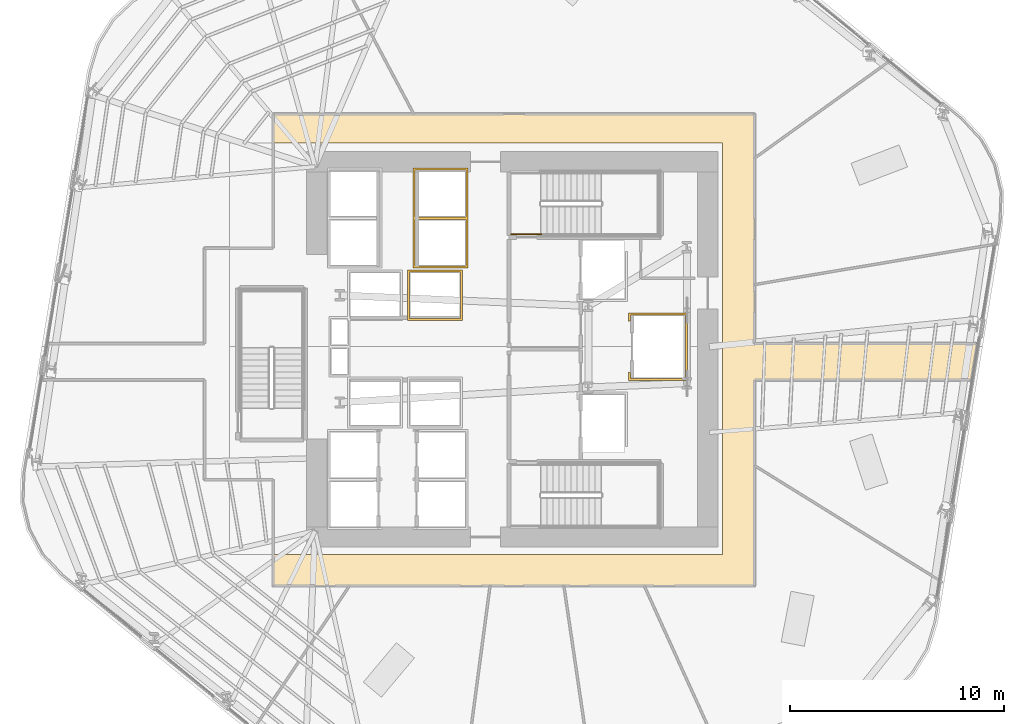
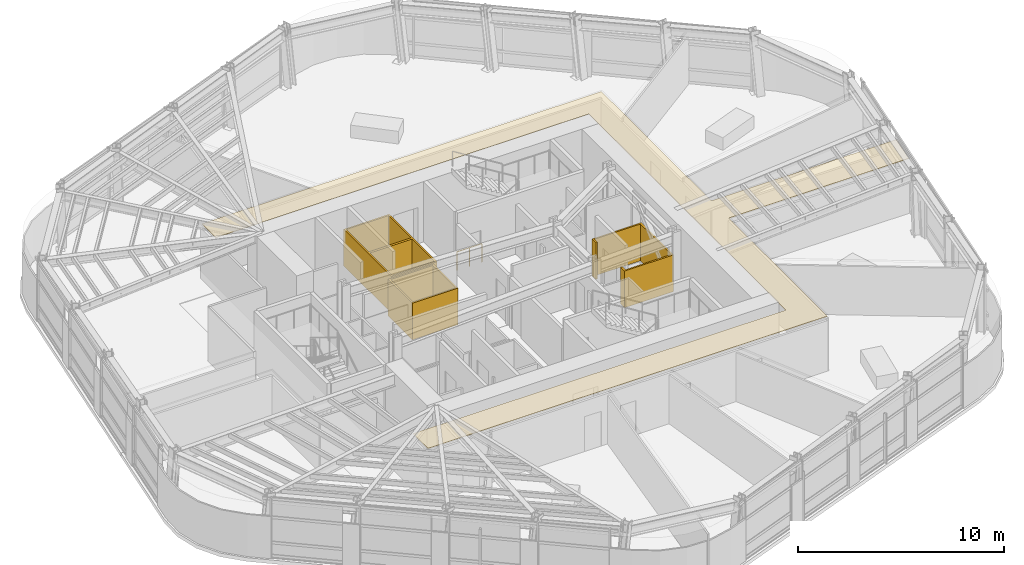
# One storey, part 15 of 18: 4 coverings, 1 railing.
"""IFC4 building model written with IfcOpenShell, lengths in metres."""

from ifc_helpers import new_model, si_unit, direction, frame, origin, origin_2d, place, context, subcontext, project, spatial, polyline, circle, outline, extrude, material, layer, layer_set, type_object, element, save


model = new_model("IFC4")

# Units and contexts
model_context = context("Model", 3, precision=1e-05, world=origin(), true_north=direction((0.0, 1.0)))
body_context = subcontext(model_context, "Body", "Model", "MODEL_VIEW")
ifc_project = project(units=[si_unit("LENGTHUNIT", "METRE"), si_unit("AREAUNIT", "SQUARE_METRE"), si_unit("VOLUMEUNIT", "CUBIC_METRE"), si_unit("PLANEANGLEUNIT", "RADIAN"), si_unit("MASSUNIT", "GRAM", prefix="KILO")], contexts=[model_context])

# Site, building, storey
site_placement = place(None, origin())
site = spatial("IfcSite", under=ifc_project, at=site_placement, CompositionType="ELEMENT")
building_placement = place(site_placement, origin())
building = spatial("IfcBuilding", under=site, at=building_placement, Name="Valkerne Bourse Tower", CompositionType="ELEMENT")
storey_placement = place(building_placement, frame((0.0, 0.0, 112.39990234375)))
storey = spatial("IfcBuildingStorey", under=building, at=storey_placement, Name="L28", CompositionType="ELEMENT", Elevation=112.39990234375)

# Coverings
ifc_material_1 = material(Name="Bronze Anodised Aluminium AA 6063-T6", Category="aluminium")
ifc_layer_1 = layer(ifc_material_1, 0.030029296875)
ifc_layer_set_1 = layer_set([ifc_layer_1], Name="Bronze Anodised Aluminium AA 6063-T6")
covering_type_1 = type_object("IfcCoveringType", Name="COV-CEIL-METAL", PredefinedType="CEILING", material=ifc_layer_set_1)
covering_1_placement = place(storey_placement, frame((0.0, 0.0, 3.22998046875)))
element("IfcCovering", 1, at=covering_1_placement, inside=storey, type_object=covering_type_1, Name="L28 Suspended Ceiling 01", PredefinedType="CEILING", context=body_context, shape_type="SweptSolid", body=[
    extrude(outline(polyline([(68.4814453125, 27.14599609375), (68.206298828125, 25.4541015625), (58.095947265625, 25.4541015625), (58.095947265625, 15.85400390625), (35.654052734375, 15.85400390625), (35.654052734375, 17.300048828125), (56.60009765625, 17.300048828125), (56.60009765625, 36.5), (35.654052734375, 36.5), (35.654052734375, 37.845947265625), (58.095947265625, 37.845947265625), (58.095947265625, 27.14599609375), (68.4814453125, 27.14599609375)])), origin(), (0.0, 0.0, 1.0), 0.025146484375),
])
ifc_material_2 = material(Name="Gypsum Shaftwall Liner Board", Category="gypsum")
ifc_layer_2 = layer(ifc_material_2, 0.080078125)
ifc_layer_set_2 = layer_set([ifc_layer_2], Name="Gypsum Shaftwall Liner Board")
covering_type_2 = type_object("IfcCoveringType", Name="COV-SHF-CLAD", PredefinedType="CLADDING", material=ifc_layer_set_2)
covering_2_placement = place(storey_placement, origin())
element("IfcCovering", 2, at=covering_2_placement, inside=storey, type_object=covering_type_2, Name="L28 Hoistway & Riser Shaftwall Liner 08", PredefinedType="CLADDING", context=body_context, shape_type="SweptSolid", body=[
    extrude(outline(polyline([(54.97998046875, 25.419921875), (52.219970703125, 25.419921875), (52.219970703125, 25.81787109375), (52.227783203125, 25.814208984375), (52.269287109375, 25.79931640625), (52.31005859375, 25.789306640625), (52.31005859375, 25.510009765625), (54.889892578125, 25.510009765625), (54.889892578125, 28.489990234375), (52.31005859375, 28.489990234375), (52.31005859375, 28.210693359375), (52.269287109375, 28.20068359375), (52.227783203125, 28.185791015625), (52.219970703125, 28.18212890625), (52.219970703125, 28.580078125), (54.97998046875, 28.580078125), (54.97998046875, 25.419921875)])), origin(), (0.0, 0.0, 1.0), 2.18017578125),
])
covering_3_placement = place(storey_placement, origin())
element("IfcCovering", 3, at=covering_3_placement, inside=storey, type_object=covering_type_2, Name="L28 Hoistway & Riser Shaftwall Liner 09", PredefinedType="CLADDING", context=body_context, shape_type="SweptSolid", body=[
    extrude(outline(polyline([(44.47998046875, 28.219970703125), (41.919921875, 28.219970703125), (41.919921875, 30.580078125), (44.47998046875, 30.580078125), (44.47998046875, 28.219970703125)]), holes=[polyline([(42.010009765625, 30.489990234375), (42.010009765625, 28.31005859375), (44.389892578125, 28.31005859375), (44.389892578125, 30.489990234375), (42.010009765625, 30.489990234375)])]), origin(), (0.0, 0.0, 1.0), 2.18017578125),
])
covering_4_placement = place(storey_placement, origin())
element("IfcCovering", 4, at=covering_4_placement, inside=storey, type_object=covering_type_2, Name="L28 Hoistway & Riser Shaftwall Liner 11", PredefinedType="CLADDING", context=body_context, shape_type="SweptSolid", body=[
    extrude(outline(polyline([(44.72998046875, 35.330078125), (44.72998046875, 33.030029296875), (44.72998046875, 32.969970703125), (44.72998046875, 30.669921875), (42.169921875, 30.669921875), (42.169921875, 32.969970703125), (42.169921875, 33.030029296875), (42.169921875, 35.330078125), (44.72998046875, 35.330078125)]), holes=[polyline([(42.260009765625, 30.760009765625), (44.639892578125, 30.760009765625), (44.639892578125, 32.93994140625), (42.260009765625, 32.93994140625), (42.260009765625, 30.760009765625)]), polyline([(42.260009765625, 33.06005859375), (44.639892578125, 33.06005859375), (44.639892578125, 35.239990234375), (42.260009765625, 35.239990234375), (42.260009765625, 33.06005859375)])]), origin(), (0.0, 0.0, 1.0), 2.18017578125),
])

# Railing
ifc_material_3 = material(Name="Galvanised Painted Steel", Category="steel")
railing_type = type_object("IfcRailingType", Name="RLG-ST-GUARD-1120", PredefinedType="GUARDRAIL", material=ifc_material_3)
railing_placement = place(storey_placement, frame((46.75, 32.25, 0.0)))
element("IfcRailing", 5, at=railing_placement, inside=storey, type_object=railing_type, Name="L28 ST-2 stair guard 8", PredefinedType="GUARDRAIL", context=body_context, shape_type="SweptSolid", body=[
    extrude(circle(Radius=0.02392578125, at=origin_2d()), frame((0.0, 0.0, 1.09619140625), z_axis=(1.0, 0.0, 0.0), x_axis=(0.0, 1.0, 0.0)), (0.0, 0.0, 1.0), 1.39990234375),
    extrude(circle(Radius=0.02099609375, at=origin_2d()), origin(), (0.0, 0.0, 1.0), 1.072021484375),
    extrude(circle(Radius=0.02099609375, at=origin_2d()), frame((0.699951171875, 0.0, 0.0)), (0.0, 0.0, 1.0), 1.072021484375),
    extrude(circle(Radius=0.02099609375, at=origin_2d()), frame((1.39990234375, 0.0, 0.0)), (0.0, 0.0, 1.0), 1.072021484375),
])

save(model, "model.ifc")
